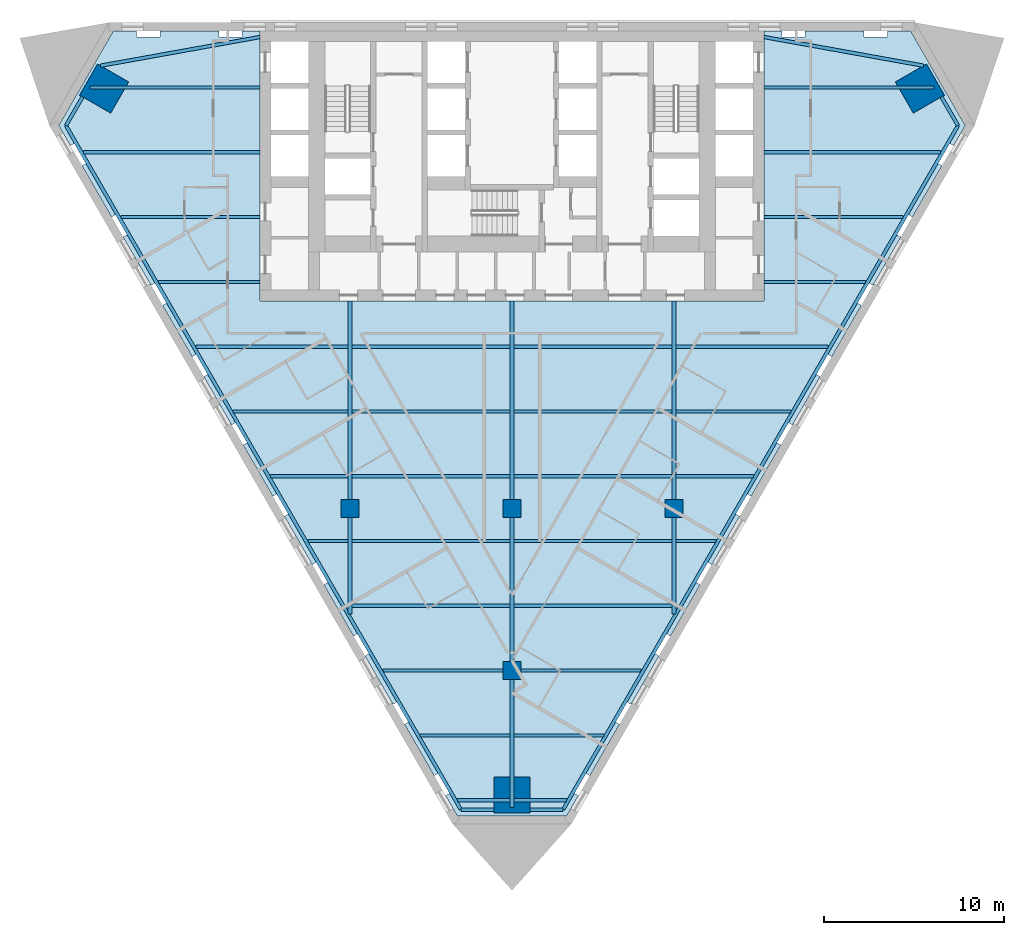
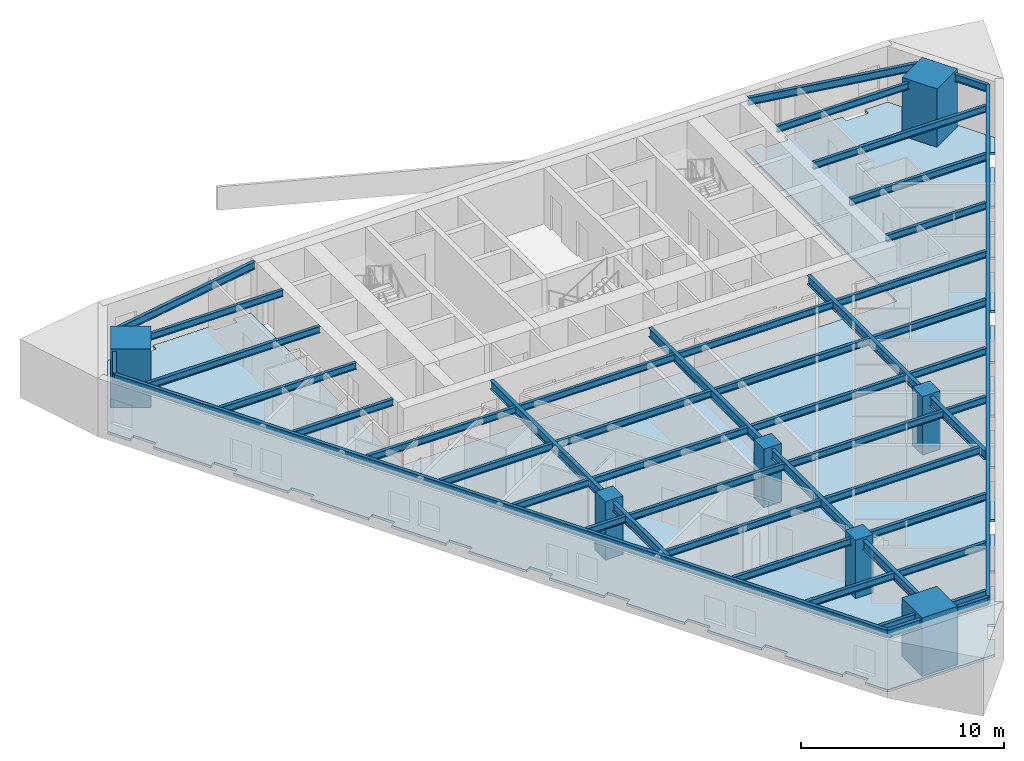
# One storey, part 1 of 11: 47 beams, 7 columns, 1 slab.
"""IFC4 building model written with IfcOpenShell, lengths in metres."""

from ifc_helpers import new_model, si_unit, direction, frame, origin, origin_2d, place, context, subcontext, project, spatial, polyline, rectangle, i_section, outline, extrude, material, layer, layer_set, material_profile, profile_set, type_object, element, save


model = new_model("IFC4")

# Units and contexts
model_context = context("Model", 3, precision=1e-05, world=origin(), true_north=direction((0.0, 1.0)))
body_context = subcontext(model_context, "Body", "Model", "MODEL_VIEW")
ifc_project = project(units=[si_unit("LENGTHUNIT", "METRE"), si_unit("AREAUNIT", "SQUARE_METRE"), si_unit("VOLUMEUNIT", "CUBIC_METRE"), si_unit("PLANEANGLEUNIT", "RADIAN"), si_unit("MASSUNIT", "GRAM", prefix="KILO")], contexts=[model_context])

# Site, building, storey
site_placement = place(None, origin())
site = spatial("IfcSite", under=ifc_project, at=site_placement, CompositionType="ELEMENT")
building_placement = place(site_placement, origin())
building = spatial("IfcBuilding", under=site, at=building_placement, Name="Aloe Facet Convention Tower", CompositionType="ELEMENT")
storey_placement = place(building_placement, frame((0.0, 0.0, 38.5)))
storey = spatial("IfcBuildingStorey", under=building, at=storey_placement, Name="L07", CompositionType="ELEMENT", Elevation=38.5)

# Columns
ifc_material_1 = material(Name="Concrete C70/85", Category="concrete")
ifc_material_profile_1 = material_profile(ifc_material_1, rectangle(XDim=1.0, YDim=1.0, at=origin_2d()), Name="SF-GC-Z1")
ifc_profile_set_1 = profile_set([ifc_material_profile_1], Name="Concrete C70/85")
column_type_1 = type_object("IfcColumnType", Name="SF-GC-Z1", PredefinedType="COLUMN", material=ifc_profile_set_1)
for number, where, z_axis, x_axis, name in (
    (1, (71.0, 108.0, 0.0), (0.0, 0.0, 1.0), (1.0, 0.0, 0.0), "Gravity column GC-Z1-8D"),
    (2, (80.0, 99.0, 0.0), (0.0, 0.0, 1.0), (1.0, 0.0, 0.0), "Gravity column GC-Z1-9E"),
    (3, (80.0, 108.0, 0.0), (0.0, 0.0, 1.0), (1.0, 0.0, 0.0), "Gravity column GC-Z1-9D"),
    (4, (89.0, 108.0, 0.0), (0.0, 0.0, 1.0), (1.0, 0.0, 0.0), "Gravity column GC-Z1-10D"),
):
    element("IfcColumn", number, at=place(storey_placement, frame(where, z_axis=z_axis, x_axis=x_axis)), inside=storey, type_object=column_type_1, Name=name, PredefinedType="COLUMN", context=body_context, shape_type="SweptSolid", body=[
        extrude(rectangle(XDim=1.0, YDim=1.0, at=origin_2d()), origin(), (0.0, 0.0, 1.0), 3.5),
    ])
ifc_material_2 = material(Name="Concrete C80/95", Category="concrete")
ifc_material_profile_2 = material_profile(ifc_material_2, rectangle(XDim=2.0, YDim=2.0, at=origin_2d()), Name="STW-MC-Z1")
ifc_profile_set_2 = profile_set([ifc_material_profile_2], Name="Concrete C80/95")
column_type_2 = type_object("IfcColumnType", Name="STW-MC-Z1", PredefinedType="COLUMN", material=ifc_profile_set_2)
for number, where, z_axis, x_axis, name in (
    (5, (102.664306640625, 131.342041015625, 0.0), (0.0, 0.0, 1.0), (-0.5, 0.866025403784, 0.0), "Mega-column MC-NE-L07"),
    (6, (57.335693359375, 131.342041015625, 0.0), (0.0, 0.0, 1.0), (-0.5, -0.866025403784, 0.0), "Mega-column MC-NW-L07"),
    (7, (80.0, 92.086181640625, 0.0), (0.0, 0.0, 1.0), (1.0, 0.0, 0.0), "Mega-column MC-S-L07"),
):
    element("IfcColumn", number, at=place(storey_placement, frame(where, z_axis=z_axis, x_axis=x_axis)), inside=storey, type_object=column_type_2, Name=name, PredefinedType="COLUMN", context=body_context, shape_type="SweptSolid", body=[
        extrude(rectangle(XDim=2.0, YDim=2.0, at=origin_2d()), origin(), (0.0, 0.0, 1.0), 3.5),
    ])

# Beams
ifc_material_3 = material(Name="Steel S355", Category="steel")
ifc_material_profile_3 = material_profile(ifc_material_3, i_section(OverallWidth=0.177734375, OverallDepth=0.402587890625, WebThickness=0.0078125, FlangeThickness=0.010986328125, FilletRadius=0.01025390625, at=origin_2d()), Name="UB 406x178x54")
ifc_profile_set_3 = profile_set([ifc_material_profile_3], Name="Steel S355")
beam_type_1 = type_object("IfcBeamType", Name="SF-B-UB406x178x54", PredefinedType="BEAM", material=ifc_profile_set_3)
beam_1_placement = place(storey_placement, frame((56.194580078125, 127.800048828125, 3.148681640625), z_axis=(1.0, 0.0, 0.0), x_axis=(0.0, 1.0, 0.0)))
element("IfcBeam", 8, at=beam_1_placement, inside=storey, type_object=beam_type_1, Name="Floor beam FB-Z1B-016", PredefinedType="BEAM", context=body_context, shape_type="SweptSolid", body=[
    extrude(i_section(OverallWidth=0.177734375, OverallDepth=0.402587890625, WebThickness=0.0078125, FlangeThickness=0.010986328125, FilletRadius=0.01025390625, at=origin_2d()), origin(), (0.0, 0.0, 1.0), 9.805419921875),
])
beam_2_placement = place(storey_placement, frame((56.55908203125, 131.39990234375, 3.148681640625), z_axis=(1.0, 0.0, 0.0), x_axis=(0.0, 1.0, 0.0)))
element("IfcBeam", 9, at=beam_2_placement, inside=storey, type_object=beam_type_1, Name="Floor beam FB-Z1B-017", PredefinedType="BEAM", context=body_context, shape_type="SweptSolid", body=[
    extrude(i_section(OverallWidth=0.177734375, OverallDepth=0.402587890625, WebThickness=0.0078125, FlangeThickness=0.010986328125, FilletRadius=0.01025390625, at=origin_2d()), origin(), (0.0, 0.0, 1.0), 9.44091796875),
])
beam_3_placement = place(storey_placement, frame((58.27294921875, 124.199951171875, 3.148681640625), z_axis=(1.0, 0.0, 0.0), x_axis=(0.0, 1.0, 0.0)))
element("IfcBeam", 10, at=beam_3_placement, inside=storey, type_object=beam_type_1, Name="Floor beam FB-Z1B-018", PredefinedType="BEAM", context=body_context, shape_type="SweptSolid", body=[
    extrude(i_section(OverallWidth=0.177734375, OverallDepth=0.402587890625, WebThickness=0.0078125, FlangeThickness=0.010986328125, FilletRadius=0.01025390625, at=origin_2d()), origin(), (0.0, 0.0, 1.0), 7.72705078125),
])
beam_4_placement = place(storey_placement, frame((60.351318359375, 120.60009765625, 3.148681640625), z_axis=(1.0, 0.0, 0.0), x_axis=(0.0, 1.0, 0.0)))
element("IfcBeam", 11, at=beam_4_placement, inside=storey, type_object=beam_type_1, Name="Floor beam FB-Z1B-019", PredefinedType="BEAM", context=body_context, shape_type="SweptSolid", body=[
    extrude(i_section(OverallWidth=0.177734375, OverallDepth=0.402587890625, WebThickness=0.0078125, FlangeThickness=0.010986328125, FilletRadius=0.01025390625, at=origin_2d()), origin(), (0.0, 0.0, 1.0), 5.648681640625),
])
beam_5_placement = place(storey_placement, frame((62.429931640625, 117.0, 3.148681640625), z_axis=(1.0, 0.0, 0.0), x_axis=(0.0, 1.0, 0.0)))
element("IfcBeam", 12, at=beam_5_placement, inside=storey, type_object=beam_type_1, Name="Floor beam FB-Z1B-020", PredefinedType="BEAM", context=body_context, shape_type="SweptSolid", body=[
    extrude(i_section(OverallWidth=0.177734375, OverallDepth=0.402587890625, WebThickness=0.0078125, FlangeThickness=0.010986328125, FilletRadius=0.01025390625, at=origin_2d()), origin(), (0.0, 0.0, 1.0), 8.464599609375),
])
beam_6_placement = place(storey_placement, frame((64.50830078125, 113.39990234375, 3.148681640625), z_axis=(1.0, 0.0, 0.0), x_axis=(0.0, 1.0, 0.0)))
element("IfcBeam", 13, at=beam_6_placement, inside=storey, type_object=beam_type_1, Name="Floor beam FB-Z1B-021", PredefinedType="BEAM", context=body_context, shape_type="SweptSolid", body=[
    extrude(i_section(OverallWidth=0.177734375, OverallDepth=0.402587890625, WebThickness=0.0078125, FlangeThickness=0.010986328125, FilletRadius=0.01025390625, at=origin_2d()), origin(), (0.0, 0.0, 1.0), 6.38623046875),
])
beam_7_placement = place(storey_placement, frame((66.5869140625, 109.800048828125, 3.148681640625), z_axis=(1.0, 0.0, 0.0), x_axis=(0.0, 1.0, 0.0)))
element("IfcBeam", 14, at=beam_7_placement, inside=storey, type_object=beam_type_1, Name="Floor beam FB-Z1B-022", PredefinedType="BEAM", context=body_context, shape_type="SweptSolid", body=[
    extrude(i_section(OverallWidth=0.177734375, OverallDepth=0.402587890625, WebThickness=0.0078125, FlangeThickness=0.010986328125, FilletRadius=0.01025390625, at=origin_2d()), origin(), (0.0, 0.0, 1.0), 4.3076171875),
])
beam_8_placement = place(storey_placement, frame((68.665283203125, 106.199951171875, 3.148681640625), z_axis=(1.0, 0.0, 0.0), x_axis=(0.0, 1.0, 0.0)))
element("IfcBeam", 15, at=beam_8_placement, inside=storey, type_object=beam_type_1, Name="Floor beam FB-Z1B-023", PredefinedType="BEAM", context=body_context, shape_type="SweptSolid", body=[
    extrude(i_section(OverallWidth=0.177734375, OverallDepth=0.402587890625, WebThickness=0.0078125, FlangeThickness=0.010986328125, FilletRadius=0.01025390625, at=origin_2d()), origin(), (0.0, 0.0, 1.0), 2.229248046875),
])
for number, where, z_axis, x_axis, name in (
    (16, (71.10546875, 102.60009765625, 3.148681640625), (1.0, 0.0, 0.0), (0.0, 1.0, 0.0), "Floor beam FB-Z1B-024"),
    (17, (71.10546875, 106.199951171875, 3.148681640625), (1.0, 0.0, 0.0), (0.0, 1.0, 0.0), "Floor beam FB-Z1B-025"),
    (18, (71.10546875, 109.800048828125, 3.148681640625), (1.0, 0.0, 0.0), (0.0, 1.0, 0.0), "Floor beam FB-Z1B-026"),
    (19, (71.10546875, 113.39990234375, 3.148681640625), (1.0, 0.0, 0.0), (0.0, 1.0, 0.0), "Floor beam FB-Z1B-027"),
    (20, (71.10546875, 117.0, 3.148681640625), (1.0, 0.0, 0.0), (0.0, 1.0, 0.0), "Floor beam FB-Z1B-028"),
):
    element("IfcBeam", number, at=place(storey_placement, frame(where, z_axis=z_axis, x_axis=x_axis)), inside=storey, type_object=beam_type_1, Name=name, PredefinedType="BEAM", context=body_context, shape_type="SweptSolid", body=[
        extrude(i_section(OverallWidth=0.177734375, OverallDepth=0.402587890625, WebThickness=0.0078125, FlangeThickness=0.010986328125, FilletRadius=0.01025390625, at=origin_2d()), origin(), (0.0, 0.0, 1.0), 8.7890625),
    ])
beam_9_placement = place(storey_placement, frame((72.822265625, 99.0, 3.148681640625), z_axis=(1.0, 0.0, 0.0), x_axis=(0.0, 1.0, 0.0)))
element("IfcBeam", 21, at=beam_9_placement, inside=storey, type_object=beam_type_1, Name="Floor beam FB-Z1B-029", PredefinedType="BEAM", context=body_context, shape_type="SweptSolid", body=[
    extrude(i_section(OverallWidth=0.177734375, OverallDepth=0.402587890625, WebThickness=0.0078125, FlangeThickness=0.010986328125, FilletRadius=0.01025390625, at=origin_2d()), origin(), (0.0, 0.0, 1.0), 6.677734375),
])
beam_10_placement = place(storey_placement, frame((74.900634765625, 95.39990234375, 3.148681640625), z_axis=(1.0, 0.0, 0.0), x_axis=(0.0, 1.0, 0.0)))
element("IfcBeam", 22, at=beam_10_placement, inside=storey, type_object=beam_type_1, Name="Floor beam FB-Z1B-030", PredefinedType="BEAM", context=body_context, shape_type="SweptSolid", body=[
    extrude(i_section(OverallWidth=0.177734375, OverallDepth=0.402587890625, WebThickness=0.0078125, FlangeThickness=0.010986328125, FilletRadius=0.01025390625, at=origin_2d()), origin(), (0.0, 0.0, 1.0), 4.993896484375),
])
for number, where, z_axis, x_axis, name in (
    (23, (76.97900390625, 91.800048828125, 3.148681640625), (1.0, 0.0, 0.0), (0.0, 1.0, 0.0), "Floor beam FB-Z1B-031"),
    (24, (80.10546875, 91.800048828125, 3.148681640625), (1.0, 0.0, 0.0), (0.0, 1.0, 0.0), "Floor beam FB-Z1B-032"),
):
    element("IfcBeam", number, at=place(storey_placement, frame(where, z_axis=z_axis, x_axis=x_axis)), inside=storey, type_object=beam_type_1, Name=name, PredefinedType="BEAM", context=body_context, shape_type="SweptSolid", body=[
        extrude(i_section(OverallWidth=0.177734375, OverallDepth=0.402587890625, WebThickness=0.0078125, FlangeThickness=0.010986328125, FilletRadius=0.01025390625, at=origin_2d()), origin(), (0.0, 0.0, 1.0), 2.91552734375),
    ])
beam_11_placement = place(storey_placement, frame((80.10546875, 95.39990234375, 3.148681640625), z_axis=(1.0, 0.0, 0.0), x_axis=(0.0, 1.0, 0.0)))
element("IfcBeam", 25, at=beam_11_placement, inside=storey, type_object=beam_type_1, Name="Floor beam FB-Z1B-033", PredefinedType="BEAM", context=body_context, shape_type="SweptSolid", body=[
    extrude(i_section(OverallWidth=0.177734375, OverallDepth=0.402587890625, WebThickness=0.0078125, FlangeThickness=0.010986328125, FilletRadius=0.01025390625, at=origin_2d()), origin(), (0.0, 0.0, 1.0), 4.993896484375),
])
for number, where, z_axis, x_axis, name in (
    (26, (80.10546875, 102.60009765625, 3.148681640625), (1.0, 0.0, 0.0), (0.0, 1.0, 0.0), "Floor beam FB-Z1B-034"),
    (27, (80.10546875, 106.199951171875, 3.148681640625), (1.0, 0.0, 0.0), (0.0, 1.0, 0.0), "Floor beam FB-Z1B-035"),
    (28, (80.10546875, 109.800048828125, 3.148681640625), (1.0, 0.0, 0.0), (0.0, 1.0, 0.0), "Floor beam FB-Z1B-036"),
    (29, (80.10546875, 113.39990234375, 3.148681640625), (1.0, 0.0, 0.0), (0.0, 1.0, 0.0), "Floor beam FB-Z1B-037"),
    (30, (80.10546875, 117.0, 3.148681640625), (1.0, 0.0, 0.0), (0.0, 1.0, 0.0), "Floor beam FB-Z1B-038"),
):
    element("IfcBeam", number, at=place(storey_placement, frame(where, z_axis=z_axis, x_axis=x_axis)), inside=storey, type_object=beam_type_1, Name=name, PredefinedType="BEAM", context=body_context, shape_type="SweptSolid", body=[
        extrude(i_section(OverallWidth=0.177734375, OverallDepth=0.402587890625, WebThickness=0.0078125, FlangeThickness=0.010986328125, FilletRadius=0.01025390625, at=origin_2d()), origin(), (0.0, 0.0, 1.0), 8.7890625),
    ])
beam_12_placement = place(storey_placement, frame((80.5, 99.0, 3.148681640625), z_axis=(1.0, 0.0, 0.0), x_axis=(0.0, 1.0, 0.0)))
element("IfcBeam", 31, at=beam_12_placement, inside=storey, type_object=beam_type_1, Name="Floor beam FB-Z1B-039", PredefinedType="BEAM", context=body_context, shape_type="SweptSolid", body=[
    extrude(i_section(OverallWidth=0.177734375, OverallDepth=0.402587890625, WebThickness=0.0078125, FlangeThickness=0.010986328125, FilletRadius=0.01025390625, at=origin_2d()), origin(), (0.0, 0.0, 1.0), 6.677734375),
])
beam_13_placement = place(storey_placement, frame((89.10546875, 106.199951171875, 3.148681640625), z_axis=(1.0, 0.0, 0.0), x_axis=(0.0, 1.0, 0.0)))
element("IfcBeam", 32, at=beam_13_placement, inside=storey, type_object=beam_type_1, Name="Floor beam FB-Z1B-040", PredefinedType="BEAM", context=body_context, shape_type="SweptSolid", body=[
    extrude(i_section(OverallWidth=0.177734375, OverallDepth=0.402587890625, WebThickness=0.0078125, FlangeThickness=0.010986328125, FilletRadius=0.01025390625, at=origin_2d()), origin(), (0.0, 0.0, 1.0), 2.229248046875),
])
beam_14_placement = place(storey_placement, frame((89.10546875, 109.800048828125, 3.148681640625), z_axis=(1.0, 0.0, 0.0), x_axis=(0.0, 1.0, 0.0)))
element("IfcBeam", 33, at=beam_14_placement, inside=storey, type_object=beam_type_1, Name="Floor beam FB-Z1B-041", PredefinedType="BEAM", context=body_context, shape_type="SweptSolid", body=[
    extrude(i_section(OverallWidth=0.177734375, OverallDepth=0.402587890625, WebThickness=0.0078125, FlangeThickness=0.010986328125, FilletRadius=0.01025390625, at=origin_2d()), origin(), (0.0, 0.0, 1.0), 4.3076171875),
])
beam_15_placement = place(storey_placement, frame((89.10546875, 113.39990234375, 3.148681640625), z_axis=(1.0, 0.0, 0.0), x_axis=(0.0, 1.0, 0.0)))
element("IfcBeam", 34, at=beam_15_placement, inside=storey, type_object=beam_type_1, Name="Floor beam FB-Z1B-042", PredefinedType="BEAM", context=body_context, shape_type="SweptSolid", body=[
    extrude(i_section(OverallWidth=0.177734375, OverallDepth=0.402587890625, WebThickness=0.0078125, FlangeThickness=0.010986328125, FilletRadius=0.01025390625, at=origin_2d()), origin(), (0.0, 0.0, 1.0), 6.38623046875),
])
beam_16_placement = place(storey_placement, frame((89.10546875, 117.0, 3.148681640625), z_axis=(1.0, 0.0, 0.0), x_axis=(0.0, 1.0, 0.0)))
element("IfcBeam", 35, at=beam_16_placement, inside=storey, type_object=beam_type_1, Name="Floor beam FB-Z1B-043", PredefinedType="BEAM", context=body_context, shape_type="SweptSolid", body=[
    extrude(i_section(OverallWidth=0.177734375, OverallDepth=0.402587890625, WebThickness=0.0078125, FlangeThickness=0.010986328125, FilletRadius=0.01025390625, at=origin_2d()), origin(), (0.0, 0.0, 1.0), 8.464599609375),
])
beam_17_placement = place(storey_placement, frame((94.0, 120.60009765625, 3.148681640625), z_axis=(1.0, 0.0, 0.0), x_axis=(0.0, 1.0, 0.0)))
element("IfcBeam", 36, at=beam_17_placement, inside=storey, type_object=beam_type_1, Name="Floor beam FB-Z1B-044", PredefinedType="BEAM", context=body_context, shape_type="SweptSolid", body=[
    extrude(i_section(OverallWidth=0.177734375, OverallDepth=0.402587890625, WebThickness=0.0078125, FlangeThickness=0.010986328125, FilletRadius=0.01025390625, at=origin_2d()), origin(), (0.0, 0.0, 1.0), 5.648681640625),
])
beam_18_placement = place(storey_placement, frame((94.0, 124.199951171875, 3.148681640625), z_axis=(1.0, 0.0, 0.0), x_axis=(0.0, 1.0, 0.0)))
element("IfcBeam", 37, at=beam_18_placement, inside=storey, type_object=beam_type_1, Name="Floor beam FB-Z1B-045", PredefinedType="BEAM", context=body_context, shape_type="SweptSolid", body=[
    extrude(i_section(OverallWidth=0.177734375, OverallDepth=0.402587890625, WebThickness=0.0078125, FlangeThickness=0.010986328125, FilletRadius=0.01025390625, at=origin_2d()), origin(), (0.0, 0.0, 1.0), 7.72705078125),
])
beam_19_placement = place(storey_placement, frame((94.0, 127.800048828125, 3.148681640625), z_axis=(1.0, 0.0, 0.0), x_axis=(0.0, 1.0, 0.0)))
element("IfcBeam", 38, at=beam_19_placement, inside=storey, type_object=beam_type_1, Name="Floor beam FB-Z1B-046", PredefinedType="BEAM", context=body_context, shape_type="SweptSolid", body=[
    extrude(i_section(OverallWidth=0.177734375, OverallDepth=0.402587890625, WebThickness=0.0078125, FlangeThickness=0.010986328125, FilletRadius=0.01025390625, at=origin_2d()), origin(), (0.0, 0.0, 1.0), 9.805419921875),
])
beam_20_placement = place(storey_placement, frame((94.0, 131.39990234375, 3.148681640625), z_axis=(1.0, 0.0, 0.0), x_axis=(0.0, 1.0, 0.0)))
element("IfcBeam", 39, at=beam_20_placement, inside=storey, type_object=beam_type_1, Name="Floor beam FB-Z1B-047", PredefinedType="BEAM", context=body_context, shape_type="SweptSolid", body=[
    extrude(i_section(OverallWidth=0.177734375, OverallDepth=0.402587890625, WebThickness=0.0078125, FlangeThickness=0.010986328125, FilletRadius=0.01025390625, at=origin_2d()), origin(), (0.0, 0.0, 1.0), 9.44091796875),
])
ifc_material_4 = material(Name="Steel S355", Category="steel")
ifc_material_profile_4 = material_profile(ifc_material_4, i_section(OverallWidth=0.18994140625, OverallDepth=0.453369140625, WebThickness=0.008544921875, FlangeThickness=0.0126953125, FilletRadius=0.01025390625, at=origin_2d()), Name="UB 457x191x67")
ifc_profile_set_4 = profile_set([ifc_material_profile_4], Name="Steel S355")
beam_type_2 = type_object("IfcBeamType", Name="SF-B-UB457x191x67", PredefinedType="BEAM", material=ifc_profile_set_4)
beam_21_placement = place(storey_placement, frame((55.218017578125, 129.2841796875, 3.123291015625), z_axis=(0.499932904579, 0.866064137879, 0.0), x_axis=(-0.866064137879, 0.499932904579, 0.0)))
element("IfcBeam", 40, at=beam_21_placement, inside=storey, type_object=beam_type_2, Name="Floor beam FB-Z1B-001", PredefinedType="BEAM", context=body_context, shape_type="SweptSolid", body=[
    extrude(i_section(OverallWidth=0.18994140625, OverallDepth=0.453369140625, WebThickness=0.008544921875, FlangeThickness=0.0126953125, FilletRadius=0.01025390625, at=origin_2d()), origin(), (0.0, 0.0, 1.0), 1.841064453125),
])
beam_22_placement = place(storey_placement, frame((57.138427734375, 132.610595703125, 3.123291015625), z_axis=(0.984194951593, 0.177088388265, 0.0), x_axis=(-0.177088388265, 0.984194951593, 0.0)))
element("IfcBeam", 41, at=beam_22_placement, inside=storey, type_object=beam_type_2, Name="Floor beam FB-Z1B-002", PredefinedType="BEAM", context=body_context, shape_type="SweptSolid", body=[
    extrude(i_section(OverallWidth=0.18994140625, OverallDepth=0.453369140625, WebThickness=0.008544921875, FlangeThickness=0.0126953125, FilletRadius=0.01025390625, at=origin_2d()), origin(), (0.0, 0.0, 1.0), 9.00390625),
])
beam_23_placement = place(storey_placement, frame((77.158935546875, 91.28125, 3.123291015625), z_axis=(-0.499998569178, 0.866026229868, 0.0), x_axis=(-0.866026229868, -0.499998569178, 0.0)))
element("IfcBeam", 42, at=beam_23_placement, inside=storey, type_object=beam_type_2, Name="Floor beam FB-Z1B-003", PredefinedType="BEAM", context=body_context, shape_type="SweptSolid", body=[
    extrude(i_section(OverallWidth=0.18994140625, OverallDepth=0.453369140625, WebThickness=0.008544921875, FlangeThickness=0.0126953125, FilletRadius=0.01025390625, at=origin_2d()), origin(), (0.0, 0.0, 1.0), 43.882080078125),
])
for number, where, z_axis, x_axis, name in (
    (43, (79.0, 91.28125, 3.123291015625), (-1.0, 0.0, 0.0), (0.0, -1.0, 0.0), "Floor beam FB-Z1B-004"),
    (44, (82.841064453125, 91.28125, 3.123291015625), (-1.0, 0.0, 0.0), (0.0, -1.0, 0.0), "Floor beam FB-Z1B-005"),
):
    element("IfcBeam", number, at=place(storey_placement, frame(where, z_axis=z_axis, x_axis=x_axis)), inside=storey, type_object=beam_type_2, Name=name, PredefinedType="BEAM", context=body_context, shape_type="SweptSolid", body=[
        extrude(i_section(OverallWidth=0.18994140625, OverallDepth=0.453369140625, WebThickness=0.008544921875, FlangeThickness=0.0126953125, FilletRadius=0.01025390625, at=origin_2d()), origin(), (0.0, 0.0, 1.0), 1.841064453125),
    ])
beam_24_placement = place(storey_placement, frame((102.861572265625, 132.610595703125, 3.123291015625), z_axis=(-0.984194951593, 0.177088388265, 0.0), x_axis=(-0.177088388265, -0.984194951593, 0.0)))
element("IfcBeam", 45, at=beam_24_placement, inside=storey, type_object=beam_type_2, Name="Floor beam FB-Z1B-006", PredefinedType="BEAM", context=body_context, shape_type="SweptSolid", body=[
    extrude(i_section(OverallWidth=0.18994140625, OverallDepth=0.453369140625, WebThickness=0.008544921875, FlangeThickness=0.0126953125, FilletRadius=0.01025390625, at=origin_2d()), origin(), (0.0, 0.0, 1.0), 9.00390625),
])
beam_25_placement = place(storey_placement, frame((103.861572265625, 130.878662109375, 3.123291015625), z_axis=(0.499932904579, -0.866064137879, 0.0), x_axis=(0.866064137879, 0.499932904579, 0.0)))
element("IfcBeam", 46, at=beam_25_placement, inside=storey, type_object=beam_type_2, Name="Floor beam FB-Z1B-007", PredefinedType="BEAM", context=body_context, shape_type="SweptSolid", body=[
    extrude(i_section(OverallWidth=0.18994140625, OverallDepth=0.453369140625, WebThickness=0.008544921875, FlangeThickness=0.0126953125, FilletRadius=0.01025390625, at=origin_2d()), origin(), (0.0, 0.0, 1.0), 1.841064453125),
])
beam_26_placement = place(storey_placement, frame((104.781982421875, 129.2841796875, 3.123291015625), z_axis=(-0.499998569178, -0.866026229868, 0.0), x_axis=(0.866026229868, -0.499998569178, 0.0)))
element("IfcBeam", 47, at=beam_26_placement, inside=storey, type_object=beam_type_2, Name="Floor beam FB-Z1B-008", PredefinedType="BEAM", context=body_context, shape_type="SweptSolid", body=[
    extrude(i_section(OverallWidth=0.18994140625, OverallDepth=0.453369140625, WebThickness=0.008544921875, FlangeThickness=0.0126953125, FilletRadius=0.01025390625, at=origin_2d()), origin(), (0.0, 0.0, 1.0), 43.882080078125),
])
ifc_material_5 = material(Name="Steel S355", Category="steel")
ifc_material_profile_5 = material_profile(ifc_material_5, i_section(OverallWidth=0.210693359375, OverallDepth=0.53955078125, WebThickness=0.01171875, FlangeThickness=0.018798828125, FilletRadius=0.0126953125, at=origin_2d()), Name="UB 533x210x109")
ifc_profile_set_5 = profile_set([ifc_material_profile_5], Name="Steel S355")
beam_type_3 = type_object("IfcBeamType", Name="SF-B-UB533x210x109", PredefinedType="BEAM", material=ifc_profile_set_5)
beam_27_placement = place(storey_placement, frame((71.0, 107.5, 3.080078125), z_axis=(0.0, -1.0, 0.0), x_axis=(1.0, 0.0, 0.0)))
element("IfcBeam", 48, at=beam_27_placement, inside=storey, type_object=beam_type_3, Name="Floor beam FB-Z1B-009", PredefinedType="BEAM", context=body_context, shape_type="SweptSolid", body=[
    extrude(i_section(OverallWidth=0.210693359375, OverallDepth=0.53955078125, WebThickness=0.01171875, FlangeThickness=0.018798828125, FilletRadius=0.0126953125, at=origin_2d()), origin(), (0.0, 0.0, 1.0), 5.351318359375),
])
beam_28_placement = place(storey_placement, frame((71.0, 119.550048828125, 3.080078125), z_axis=(0.0, -1.0, 0.0), x_axis=(1.0, 0.0, 0.0)))
element("IfcBeam", 49, at=beam_28_placement, inside=storey, type_object=beam_type_3, Name="Floor beam FB-Z1B-010", PredefinedType="BEAM", context=body_context, shape_type="SweptSolid", body=[
    extrude(i_section(OverallWidth=0.210693359375, OverallDepth=0.53955078125, WebThickness=0.01171875, FlangeThickness=0.018798828125, FilletRadius=0.0126953125, at=origin_2d()), origin(), (0.0, 0.0, 1.0), 11.050048828125),
])
beam_29_placement = place(storey_placement, frame((80.0, 98.5, 3.080078125), z_axis=(0.0, -1.0, 0.0), x_axis=(1.0, 0.0, 0.0)))
element("IfcBeam", 50, at=beam_29_placement, inside=storey, type_object=beam_type_3, Name="Floor beam FB-Z1B-011", PredefinedType="BEAM", context=body_context, shape_type="SweptSolid", body=[
    extrude(i_section(OverallWidth=0.210693359375, OverallDepth=0.53955078125, WebThickness=0.01171875, FlangeThickness=0.018798828125, FilletRadius=0.0126953125, at=origin_2d()), origin(), (0.0, 0.0, 1.0), 7.11376953125),
])
beam_30_placement = place(storey_placement, frame((80.0, 107.5, 3.080078125), z_axis=(0.0, -1.0, 0.0), x_axis=(1.0, 0.0, 0.0)))
element("IfcBeam", 51, at=beam_30_placement, inside=storey, type_object=beam_type_3, Name="Floor beam FB-Z1B-012", PredefinedType="BEAM", context=body_context, shape_type="SweptSolid", body=[
    extrude(i_section(OverallWidth=0.210693359375, OverallDepth=0.53955078125, WebThickness=0.01171875, FlangeThickness=0.018798828125, FilletRadius=0.0126953125, at=origin_2d()), origin(), (0.0, 0.0, 1.0), 8.0),
])
beam_31_placement = place(storey_placement, frame((80.0, 119.550048828125, 3.080078125), z_axis=(0.0, -1.0, 0.0), x_axis=(1.0, 0.0, 0.0)))
element("IfcBeam", 52, at=beam_31_placement, inside=storey, type_object=beam_type_3, Name="Floor beam FB-Z1B-013", PredefinedType="BEAM", context=body_context, shape_type="SweptSolid", body=[
    extrude(i_section(OverallWidth=0.210693359375, OverallDepth=0.53955078125, WebThickness=0.01171875, FlangeThickness=0.018798828125, FilletRadius=0.0126953125, at=origin_2d()), origin(), (0.0, 0.0, 1.0), 11.050048828125),
])
beam_32_placement = place(storey_placement, frame((89.0, 107.5, 3.080078125), z_axis=(0.0, -1.0, 0.0), x_axis=(1.0, 0.0, 0.0)))
element("IfcBeam", 53, at=beam_32_placement, inside=storey, type_object=beam_type_3, Name="Floor beam FB-Z1B-014", PredefinedType="BEAM", context=body_context, shape_type="SweptSolid", body=[
    extrude(i_section(OverallWidth=0.210693359375, OverallDepth=0.53955078125, WebThickness=0.01171875, FlangeThickness=0.018798828125, FilletRadius=0.0126953125, at=origin_2d()), origin(), (0.0, 0.0, 1.0), 5.351318359375),
])
beam_33_placement = place(storey_placement, frame((89.0, 119.550048828125, 3.080078125), z_axis=(0.0, -1.0, 0.0), x_axis=(1.0, 0.0, 0.0)))
element("IfcBeam", 54, at=beam_33_placement, inside=storey, type_object=beam_type_3, Name="Floor beam FB-Z1B-015", PredefinedType="BEAM", context=body_context, shape_type="SweptSolid", body=[
    extrude(i_section(OverallWidth=0.210693359375, OverallDepth=0.53955078125, WebThickness=0.01171875, FlangeThickness=0.018798828125, FilletRadius=0.0126953125, at=origin_2d()), origin(), (0.0, 0.0, 1.0), 11.050048828125),
])

# Slab
ifc_material_6 = material(Name="Concrete C35/45", Category="concrete")
ifc_layer = layer(ifc_material_6, 0.14990234375)
ifc_layer_set = layer_set([ifc_layer], Name="SF-FS-150")
slab_type = type_object("IfcSlabType", Name="SF-FS-150", PredefinedType="FLOOR", material=ifc_layer_set)
slab_placement = place(storey_placement, frame((0.0, 0.0, -0.14990234375)))
element("IfcSlab", 55, at=slab_placement, inside=storey, type_object=slab_type, Name="Floor slab L07-1", PredefinedType="FLOOR", context=body_context, shape_type="SweptSolid", body=[
    extrude(outline(polyline([(105.180419921875, 129.2841796875), (104.53515625, 128.16650390625), (104.23193359375, 128.341552734375), (103.59033203125, 127.230224609375), (103.8935546875, 127.05517578125), (102.2470703125, 124.20361328125), (101.944091796875, 124.378662109375), (101.302490234375, 123.267333984375), (101.60546875, 123.09228515625), (100.05517578125, 120.406982421875), (99.751953125, 120.58203125), (99.1103515625, 119.470703125), (99.41357421875, 119.295654296875), (97.76708984375, 116.444091796875), (97.464111328125, 116.619140625), (96.822509765625, 115.5078125), (97.12548828125, 115.332763671875), (95.5751953125, 112.6474609375), (95.27197265625, 112.822509765625), (94.63037109375, 111.711181640625), (94.93359375, 111.5361328125), (93.287109375, 108.6845703125), (92.98388671875, 108.859619140625), (92.34228515625, 107.748046875), (92.6455078125, 107.572998046875), (91.09521484375, 104.8876953125), (90.7919921875, 105.062744140625), (90.150390625, 103.951416015625), (90.45361328125, 103.776611328125), (88.80712890625, 100.9248046875), (88.50390625, 101.099853515625), (87.8623046875, 99.988525390625), (88.16552734375, 99.8134765625), (86.614990234375, 97.128173828125), (86.31201171875, 97.30322265625), (85.67041015625, 96.19189453125), (85.973388671875, 96.016845703125), (84.3271484375, 93.165283203125), (84.02392578125, 93.34033203125), (83.38232421875, 92.22900390625), (83.685546875, 92.053955078125), (83.040283203125, 90.936279296875), (76.959716796875, 90.936279296875), (76.314453125, 92.053955078125), (76.61767578125, 92.22900390625), (75.97607421875, 93.34033203125), (75.6728515625, 93.165283203125), (74.026611328125, 96.016845703125), (74.32958984375, 96.19189453125), (73.68798828125, 97.30322265625), (73.385009765625, 97.128173828125), (71.83447265625, 99.8134765625), (72.1376953125, 99.988525390625), (71.49609375, 101.099853515625), (71.19287109375, 100.9248046875), (69.54638671875, 103.776611328125), (69.849609375, 103.951416015625), (69.2080078125, 105.062744140625), (68.90478515625, 104.8876953125), (67.3544921875, 107.572998046875), (67.65771484375, 107.748046875), (67.01611328125, 108.859619140625), (66.712890625, 108.6845703125), (65.06640625, 111.5361328125), (65.36962890625, 111.711181640625), (64.72802734375, 112.822509765625), (64.4248046875, 112.6474609375), (62.87451171875, 115.332763671875), (63.177490234375, 115.5078125), (62.535888671875, 116.619140625), (62.23291015625, 116.444091796875), (60.58642578125, 119.295654296875), (60.8896484375, 119.470703125), (60.248046875, 120.58203125), (59.94482421875, 120.406982421875), (58.39453125, 123.09228515625), (58.697509765625, 123.267333984375), (58.055908203125, 124.378662109375), (57.7529296875, 124.20361328125), (56.1064453125, 127.05517578125), (56.40966796875, 127.230224609375), (55.76806640625, 128.341552734375), (55.46484375, 128.16650390625), (54.819580078125, 129.2841796875), (57.85986328125, 134.550048828125), (59.150390625, 134.550048828125), (59.150390625, 134.199951171875), (60.43359375, 134.199951171875), (60.43359375, 134.550048828125), (63.726318359375, 134.550048828125), (63.726318359375, 134.199951171875), (65.009521484375, 134.199951171875), (65.009521484375, 134.550048828125), (66.0, 134.550048828125), (66.0, 131.949951171875), (66.0, 131.050048828125), (66.0, 129.35009765625), (66.0, 128.449951171875), (66.0, 126.449951171875), (66.0, 125.85009765625), (66.0, 123.57373046875), (66.0, 122.523681640625), (66.0, 119.550048828125), (68.699951171875, 119.550048828125), (69.300048828125, 119.550048828125), (72.10009765625, 119.550048828125), (73.14990234375, 119.550048828125), (74.300048828125, 119.550048828125), (75.35009765625, 119.550048828125), (76.433349609375, 119.550048828125), (77.4833984375, 119.550048828125), (78.566650390625, 119.550048828125), (79.61669921875, 119.550048828125), (80.699951171875, 119.550048828125), (81.75, 119.550048828125), (82.64990234375, 119.550048828125), (83.699951171875, 119.550048828125), (84.64990234375, 119.550048828125), (85.699951171875, 119.550048828125), (86.85009765625, 119.550048828125), (87.89990234375, 119.550048828125), (90.699951171875, 119.550048828125), (91.300048828125, 119.550048828125), (94.0, 119.550048828125), (94.0, 122.523681640625), (94.0, 123.57373046875), (94.0, 125.85009765625), (94.0, 126.449951171875), (94.0, 128.449951171875), (94.0, 129.35009765625), (94.0, 131.050048828125), (94.0, 131.949951171875), (94.0, 134.550048828125), (94.990478515625, 134.550048828125), (94.990478515625, 134.199951171875), (96.273681640625, 134.199951171875), (96.273681640625, 134.550048828125), (99.56640625, 134.550048828125), (99.56640625, 134.199951171875), (100.849609375, 134.199951171875), (100.849609375, 134.550048828125), (102.14013671875, 134.550048828125), (105.180419921875, 129.2841796875)]), holes=[polyline([(80.5, 98.5), (80.5, 99.5), (79.5, 99.5), (79.5, 98.5), (80.5, 98.5)]), polyline([(80.5, 107.5), (80.5, 108.5), (79.5, 108.5), (79.5, 107.5), (80.5, 107.5)]), polyline([(71.5, 107.5), (71.5, 108.5), (70.5, 108.5), (70.5, 107.5), (71.5, 107.5)]), polyline([(58.70166015625, 131.7080078125), (56.969482421875, 132.7080078125), (55.969482421875, 130.97607421875), (57.70166015625, 129.97607421875), (58.70166015625, 131.7080078125)]), polyline([(79.0, 91.086181640625), (81.0, 91.086181640625), (81.0, 93.086181640625), (79.0, 93.086181640625), (79.0, 91.086181640625)]), polyline([(89.5, 107.5), (89.5, 108.5), (88.5, 108.5), (88.5, 107.5), (89.5, 107.5)]), polyline([(102.29833984375, 129.97607421875), (104.030517578125, 130.97607421875), (103.030517578125, 132.7080078125), (101.29833984375, 131.7080078125), (102.29833984375, 129.97607421875)])]), origin(), (0.0, 0.0, 1.0), 0.14990234375),
])

save(model, "model.ifc")
